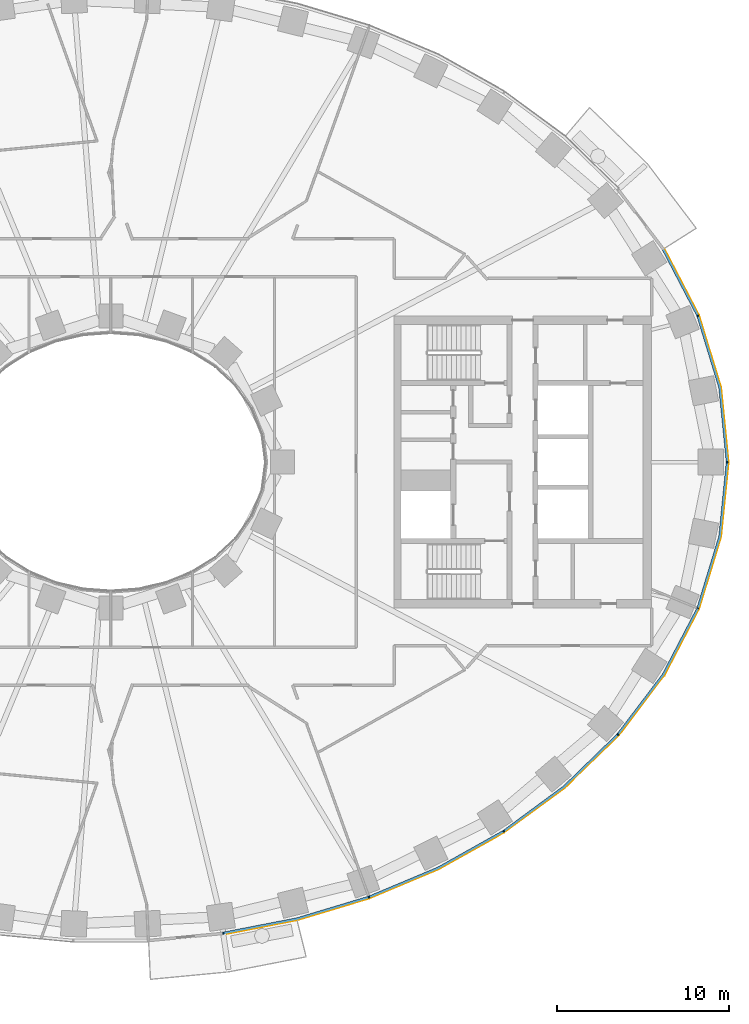
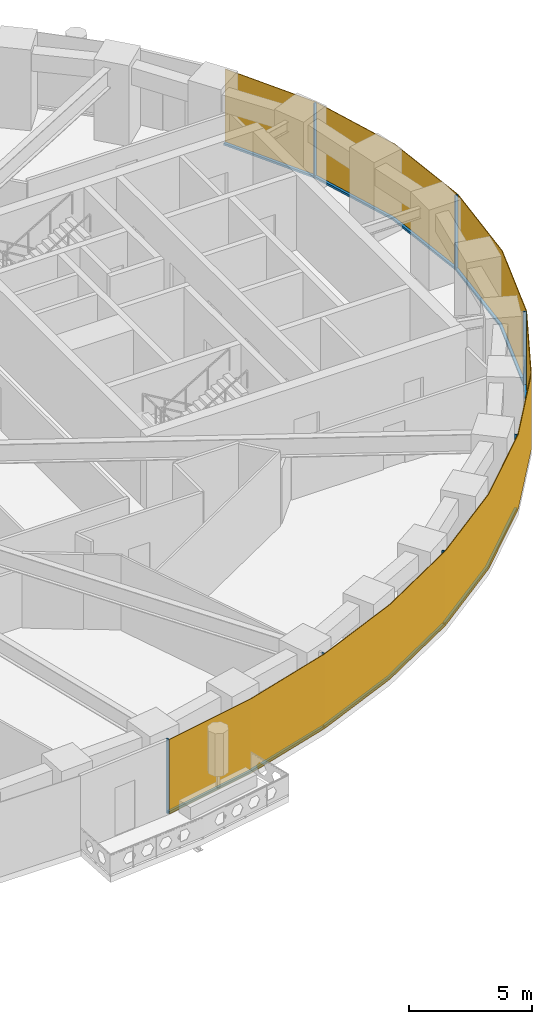
# One storey, part 10 of 16: 14 members, 1 curtain wall.
"""IFC4 building model written with IfcOpenShell, lengths in metres."""

from ifc_helpers import new_model, si_unit, direction, frame, origin, origin_2d, place, context, subcontext, project, spatial, polyline, rectangle, outline, extrude, material, layer, layer_set, material_profile, profile_set, type_object, element, aggregate, save


model = new_model("IFC4")

# Units and contexts
model_context = context("Model", 3, precision=1e-05, world=origin(), true_north=direction((0.0, 1.0)))
body_context = subcontext(model_context, "Body", "Model", "MODEL_VIEW")
ifc_project = project(units=[si_unit("LENGTHUNIT", "METRE"), si_unit("AREAUNIT", "SQUARE_METRE"), si_unit("VOLUMEUNIT", "CUBIC_METRE"), si_unit("PLANEANGLEUNIT", "RADIAN"), si_unit("MASSUNIT", "GRAM", prefix="KILO")], contexts=[model_context])

# Member
ifc_material_1 = material(Name="Aluminium 6063-T6 black anodised", Category="aluminium")
ifc_material_profile = material_profile(ifc_material_1, rectangle(XDim=0.1201171875, YDim=0.06005859375, at=origin_2d()), Name="120x60")
ifc_profile_set = profile_set([ifc_material_profile], Name="Aluminium 6063-T6 black anodised")
member_type_1 = type_object("IfcMemberType", Name="ENV-MULLION-A-120", PredefinedType="MULLION", material=ifc_profile_set)
site_placement = place(None, origin())
building_placement = place(site_placement, origin())
storey_placement = place(building_placement, frame((0.0, 0.0, 42.5)))
member_1_placement = place(storey_placement, frame((6.54638671875, -27.440185546875, 0.0), z_axis=(0.0, 0.0, 1.0), x_axis=(-0.143082012705, 0.989710835366, 0.0)))
member_1 = element("IfcMember", 1, at=member_1_placement, type_object=member_type_1, Name="Mullion A radial 37", PredefinedType="MULLION", context=body_context, shape_type="SweptSolid", body=[
    extrude(rectangle(XDim=0.1201171875, YDim=0.06005859375, at=origin_2d()), origin(), (0.0, 0.0, 1.0), 3.699951171875),
])

member_2_placement = place(storey_placement, frame((15.0341796875, -25.34375, 0.0), z_axis=(0.0, 0.0, 1.0), x_axis=(-0.338379256581, 0.941009818608, 0.0)))
member_2 = element("IfcMember", 2, at=member_2_placement, type_object=member_type_1, Name="Mullion A radial 39", PredefinedType="MULLION", context=body_context, shape_type="SweptSolid", body=[
    extrude(rectangle(XDim=0.1201171875, YDim=0.06005859375, at=origin_2d()), origin(), (0.0, 0.0, 1.0), 3.699951171875),
])

member_3_placement = place(storey_placement, frame((22.882568359375, -21.506591796875, 0.0), z_axis=(0.0, 0.0, 1.0), x_axis=(-0.542279153225, 0.840198381323, 0.0)))
member_3 = element("IfcMember", 3, at=member_3_placement, type_object=member_type_1, Name="Mullion A radial 41", PredefinedType="MULLION", context=body_context, shape_type="SweptSolid", body=[
    extrude(rectangle(XDim=0.1201171875, YDim=0.06005859375, at=origin_2d()), origin(), (0.0, 0.0, 1.0), 3.699951171875),
])

member_4_placement = place(storey_placement, frame((29.53857421875, -15.8671875, 0.0), z_axis=(0.0, 0.0, 1.0), x_axis=(-0.749047221705, 0.662516610853, 0.0)))
member_4 = element("IfcMember", 4, at=member_4_placement, type_object=member_type_1, Name="Mullion A radial 43", PredefinedType="MULLION", context=body_context, shape_type="SweptSolid", body=[
    extrude(rectangle(XDim=0.1201171875, YDim=0.06005859375, at=origin_2d()), origin(), (0.0, 0.0, 1.0), 3.699951171875),
])

member_5_placement = place(storey_placement, frame((34.19580078125, -8.513916015625, 0.0), z_axis=(0.0, 0.0, 1.0), x_axis=(-0.92546738067, 0.378827305398, 0.0)))
member_5 = element("IfcMember", 5, at=member_5_placement, type_object=member_type_1, Name="Mullion A radial 45", PredefinedType="MULLION", context=body_context, shape_type="SweptSolid", body=[
    extrude(rectangle(XDim=0.1201171875, YDim=0.06005859375, at=origin_2d()), origin(), (0.0, 0.0, 1.0), 3.699951171875),
])

member_6_placement = place(storey_placement, frame((35.907958984375, 0.0, 0.0), z_axis=(0.0, 0.0, 1.0), x_axis=(-1.0, 0.0, 0.0)))
member_6 = element("IfcMember", 6, at=member_6_placement, type_object=member_type_1, Name="Mullion A radial 01", PredefinedType="MULLION", context=body_context, shape_type="SweptSolid", body=[
    extrude(rectangle(XDim=0.1201171875, YDim=0.06005859375, at=origin_2d()), origin(), (0.0, 0.0, 1.0), 3.699951171875),
])

member_7_placement = place(storey_placement, frame((34.19580078125, 8.513916015625, 0.0), z_axis=(0.0, 0.0, 1.0), x_axis=(-0.92546738067, -0.378827305398, 0.0)))
member_7 = element("IfcMember", 7, at=member_7_placement, type_object=member_type_1, Name="Mullion A radial 03", PredefinedType="MULLION", context=body_context, shape_type="SweptSolid", body=[
    extrude(rectangle(XDim=0.1201171875, YDim=0.06005859375, at=origin_2d()), origin(), (0.0, 0.0, 1.0), 3.699951171875),
])

ifc_material_2 = material(Name="Aluminium 6063-T6 black anodised", Category="aluminium")
member_type_2 = type_object("IfcMemberType", Name="ENV-TRANSOM-A", PredefinedType="USERDEFINED", material=ifc_material_2)
member_8_placement = place(storey_placement, origin())
member_8 = element("IfcMember", 8, at=member_8_placement, type_object=member_type_2, Name="Transom A radial 37-39", ObjectType="TRANSOM", PredefinedType="USERDEFINED", context=body_context, shape_type="SweptSolid", body=[
    extrude(outline(polyline([(6.58251953125, -27.494140625), (10.857666015625, -26.6630859375), (15.027587890625, -25.408203125), (14.987060546875, -25.295166015625), (10.828857421875, -26.54638671875), (6.5654296875, -27.375244140625), (6.58251953125, -27.494140625)])), origin(), (0.0, 0.0, 1.0), 0.10009765625),
])

member_9_placement = place(storey_placement, origin())
member_9 = element("IfcMember", 9, at=member_9_placement, type_object=member_type_2, Name="Transom A radial 39-41", ObjectType="TRANSOM", PredefinedType="USERDEFINED", context=body_context, shape_type="SweptSolid", body=[
    extrude(outline(polyline([(15.080322265625, -25.389404296875), (19.093994140625, -23.701416015625), (22.890625, -21.570556640625), (22.825439453125, -21.469482421875), (19.041259765625, -23.593505859375), (15.03955078125, -25.276123046875), (15.080322265625, -25.389404296875)])), origin(), (0.0, 0.0, 1.0), 0.10009765625),
])

member_10_placement = place(storey_placement, origin())
member_10 = element("IfcMember", 10, at=member_10_placement, type_object=member_type_2, Name="Transom A radial 41-43", ObjectType="TRANSOM", PredefinedType="USERDEFINED", context=body_context, shape_type="SweptSolid", body=[
    extrude(outline(polyline([(22.937744140625, -21.540283203125), (26.4423828125, -18.958740234375), (29.5634765625, -15.926513671875), (29.473388671875, -15.8466796875), (26.364501953125, -18.866943359375), (22.87255859375, -21.439208984375), (22.937744140625, -21.540283203125)])), origin(), (0.0, 0.0, 1.0), 0.10009765625),
])

member_11_placement = place(storey_placement, origin())
member_11 = element("IfcMember", 11, at=member_11_placement, type_object=member_type_2, Name="Transom A radial 43-45", ObjectType="TRANSOM", PredefinedType="USERDEFINED", context=body_context, shape_type="SweptSolid", body=[
    extrude(outline(polyline([(29.6005859375, -15.884521484375), (32.22802734375, -12.41748046875), (34.23828125, -8.5615234375), (34.126708984375, -8.515869140625), (32.126220703125, -12.35302734375), (29.51025390625, -15.8046875), (29.6005859375, -15.884521484375)])), origin(), (0.0, 0.0, 1.0), 0.10009765625),
])

member_12_placement = place(storey_placement, origin())
member_12 = element("IfcMember", 12, at=member_12_placement, type_object=member_type_2, Name="Transom A radial 45-01", ObjectType="TRANSOM", PredefinedType="USERDEFINED", context=body_context, shape_type="SweptSolid", body=[
    extrude(outline(polyline([(34.259521484375, -8.509765625), (35.529541015625, -4.352294921875), (35.965087890625, -0.02783203125), (35.844482421875, -0.02783203125), (35.411376953125, -4.32861328125), (34.14794921875, -8.464111328125), (34.259521484375, -8.509765625)])), origin(), (0.0, 0.0, 1.0), 0.10009765625),
])

member_13_placement = place(storey_placement, origin())
member_13 = element("IfcMember", 13, at=member_13_placement, type_object=member_type_2, Name="Transom A radial 01-03", ObjectType="TRANSOM", PredefinedType="USERDEFINED", context=body_context, shape_type="SweptSolid", body=[
    extrude(outline(polyline([(35.965087890625, 0.02783203125), (35.529541015625, 4.352294921875), (34.259521484375, 8.509765625), (34.14794921875, 8.464111328125), (35.411376953125, 4.32861328125), (35.844482421875, 0.02783203125), (35.965087890625, 0.02783203125)])), origin(), (0.0, 0.0, 1.0), 0.10009765625),
])

member_14_placement = place(storey_placement, origin())
member_14 = element("IfcMember", 14, at=member_14_placement, type_object=member_type_2, Name="Transom A radial 03-04", ObjectType="TRANSOM", PredefinedType="USERDEFINED", context=body_context, shape_type="SweptSolid", body=[
    extrude(outline(polyline([(34.23828125, 8.5615234375), (32.2373046875, 12.39990234375), (32.135498046875, 12.33544921875), (34.126708984375, 8.515869140625), (34.23828125, 8.5615234375)])), origin(), (0.0, 0.0, 1.0), 0.10009765625),
])

# Site, building, storey
site = spatial("IfcSite", under=ifc_project, at=site_placement, CompositionType="ELEMENT")
building = spatial("IfcBuilding", under=site, at=building_placement, Name="Noorbagh Ring Tower", CompositionType="ELEMENT")
storey = spatial("IfcBuildingStorey", under=building, at=storey_placement, Name="L08", CompositionType="ELEMENT", Elevation=42.5)

# Curtain wall
ifc_material_3 = material(Name="Glass dark tinted laminated", Category="glass")
ifc_layer = layer(ifc_material_3, 0.031982421875)
ifc_layer_set = layer_set([ifc_layer], Name="Glass dark tinted laminated")
curtain_wall_type = type_object("IfcCurtainWallType", Name="ENV-CW-A", PredefinedType="NOTDEFINED", material=ifc_layer_set)
curtain_wall_placement = place(storey_placement, origin())
curtain_wall = element("IfcCurtainWall", 15, at=curtain_wall_placement, inside=storey, type_object=curtain_wall_type, Name="Curtain wall A R37", PredefinedType="NOTDEFINED", context=body_context, shape_type="SweptSolid", body=[
    extrude(outline(polyline([(6.579345703125, -27.52734375), (10.865234375, -26.6943359375), (15.065185546875, -25.430419921875), (19.108154296875, -23.730224609375), (22.9326171875, -21.583740234375), (26.463134765625, -18.9833984375), (29.607666015625, -15.927978515625), (32.255126953125, -12.434814453125), (34.281005859375, -8.548828125), (35.561279296875, -4.358642578125), (36.0, 0.0), (35.561279296875, 4.358642578125), (34.281005859375, 8.548828125), (32.264404296875, 12.4169921875), (32.2373046875, 12.39990234375), (34.251220703125, 8.53662109375), (35.529541015625, 4.352294921875), (35.9677734375, 0.0), (35.529541015625, -4.352294921875), (34.251220703125, -8.53662109375), (32.22802734375, -12.41748046875), (29.58349609375, -15.906982421875), (26.4423828125, -18.958740234375), (22.9150390625, -21.556884765625), (19.093994140625, -23.701416015625), (15.054443359375, -25.400146484375), (10.857666015625, -26.6630859375), (6.57470703125, -27.49560546875), (6.579345703125, -27.52734375)])), origin(), (0.0, 0.0, 1.0), 3.699951171875),
])

aggregate(curtain_wall, [member_1, member_2, member_3, member_4, member_5, member_6, member_7, member_8, member_9, member_10, member_11, member_12, member_13, member_14])

save(model, "model.ifc")
